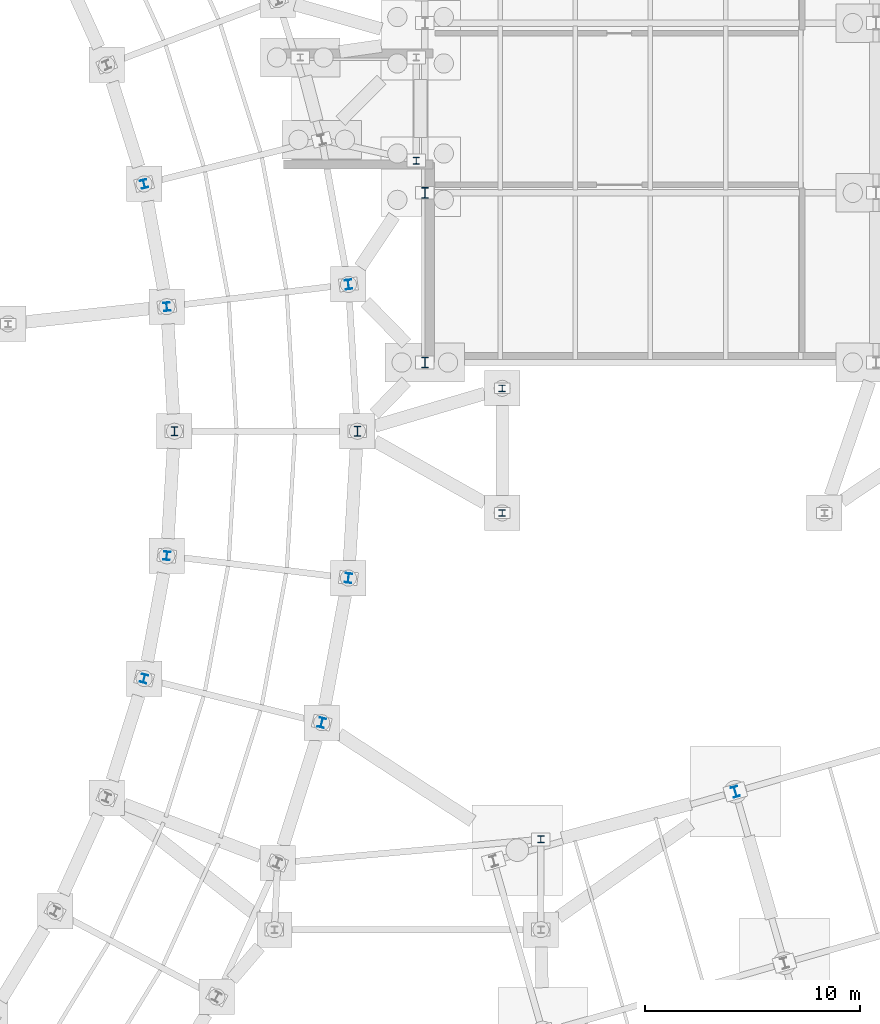
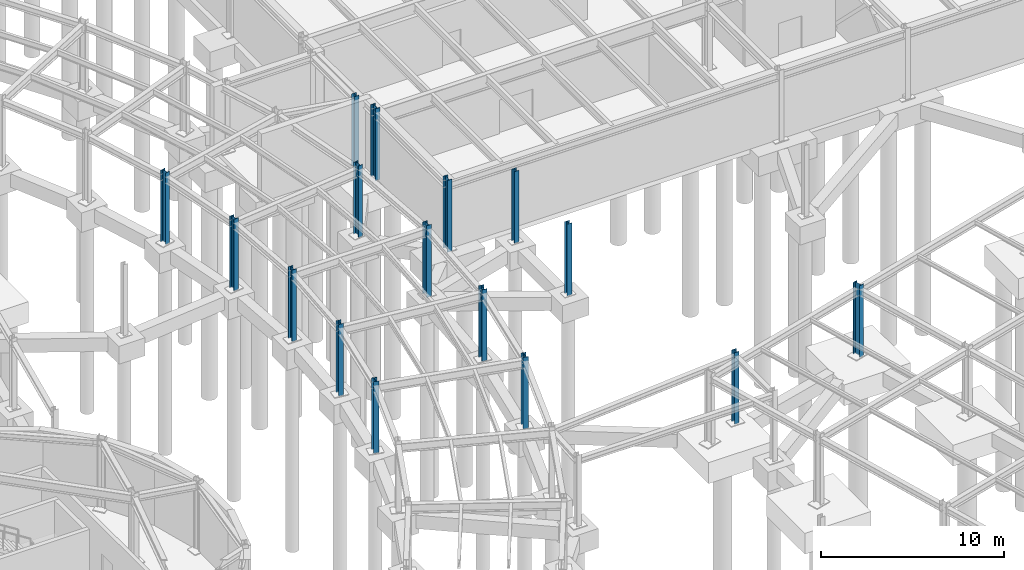
# One storey, part 17 of 50: 16 columns.
"""IFC4 building model written with IfcOpenShell, lengths in metres."""

from ifc_helpers import new_model, si_unit, direction, frame, origin, origin_2d, place, context, subcontext, project, spatial, i_section, extrude, material, material_profile, profile_set, type_object, element, save


model = new_model("IFC4")

# Units and contexts
model_context = context("Model", 3, precision=1e-05, world=origin(), true_north=direction((0.0, 1.0)))
body_context = subcontext(model_context, "Body", "Model", "MODEL_VIEW")
ifc_project = project(units=[si_unit("LENGTHUNIT", "METRE"), si_unit("AREAUNIT", "SQUARE_METRE"), si_unit("VOLUMEUNIT", "CUBIC_METRE"), si_unit("PLANEANGLEUNIT", "RADIAN"), si_unit("MASSUNIT", "GRAM", prefix="KILO")], contexts=[model_context])

# Site, building, storey
site_placement = place(None, origin())
site = spatial("IfcSite", under=ifc_project, at=site_placement, CompositionType="ELEMENT")
building_placement = place(site_placement, origin())
building = spatial("IfcBuilding", under=site, at=building_placement, Name="Varnklinge Art Gallery", CompositionType="ELEMENT")
storey_placement = place(building_placement, frame((0.0, 0.0, -4.800048828125)))
storey = spatial("IfcBuildingStorey", under=building, at=storey_placement, Name="B01", CompositionType="ELEMENT", Elevation=-4.800048828125)

# Columns
ifc_material_1 = material(Name="Steel S355", Category="steel")
ifc_material_profile_1 = material_profile(ifc_material_1, i_section(OverallWidth=0.300048828125, OverallDepth=0.5, WebThickness=0.014404296875, FlangeThickness=0.028076171875, FilletRadius=0.027099609375, at=origin_2d()), Name="HEB 500")
ifc_profile_set_1 = profile_set([ifc_material_profile_1], Name="Steel S355")
column_type_1 = type_object("IfcColumnType", Name="COL-05", PredefinedType="COLUMN", material=ifc_profile_set_1)
column_placement = place(storey_placement, frame((128.8525390625, 38.21826171875, 0.0), z_axis=(0.0, 0.0, 1.0), x_axis=(0.961261695938, 0.275637355817, 0.0)))
element("IfcColumn", 1, at=column_placement, inside=storey, type_object=column_type_1, Name="B01 Column V6C-2-4", PredefinedType="COLUMN", context=body_context, shape_type="SweptSolid", body=[
    extrude(i_section(OverallWidth=0.300048828125, OverallDepth=0.5, WebThickness=0.014404296875, FlangeThickness=0.028076171875, FilletRadius=0.027099609375, at=origin_2d()), origin(), (0.0, 0.0, 1.0), 4.800048828125),
])
ifc_material_2 = material(Name="Steel S355", Category="steel")
ifc_material_profile_2 = material_profile(ifc_material_2, i_section(OverallWidth=0.300048828125, OverallDepth=0.449951171875, WebThickness=0.013916015625, FlangeThickness=0.02587890625, FilletRadius=0.027099609375, at=origin_2d()), Name="HEB 450")
ifc_profile_set_2 = profile_set([ifc_material_profile_2], Name="Steel S355")
column_type_2 = type_object("IfcColumnType", Name="COL-06", PredefinedType="COLUMN", material=ifc_profile_set_2)
for number, where, z_axis, x_axis, name in (
    (2, (109.598388671875, 41.43408203125, 0.0), (0.0, 0.0, 1.0), (-0.970506473469, 0.241075060833, 0.0), "B01 Column V2CO-05"),
    (3, (110.842041015625, 48.16650390625, 0.0), (0.0, 0.0, 1.0), (-0.992588631597, 0.121522872021, 0.0), "B01 Column V2CO-06"),
    (4, (111.258544921875, 55.0, 0.0), (0.0, 0.0, 1.0), (-1.0, 0.0, 0.0), "B01 Column V2CO-07"),
    (5, (110.842041015625, 61.83349609375, 0.0), (0.0, 0.0, 1.0), (-0.992588631597, -0.121522872021, 0.0), "B01 Column V2CO-08"),
):
    element("IfcColumn", number, at=place(storey_placement, frame(where, z_axis=z_axis, x_axis=x_axis)), inside=storey, type_object=column_type_2, Name=name, PredefinedType="COLUMN", context=body_context, shape_type="SweptSolid", body=[
        extrude(i_section(OverallWidth=0.300048828125, OverallDepth=0.449951171875, WebThickness=0.013916015625, FlangeThickness=0.02587890625, FilletRadius=0.027099609375, at=origin_2d()), origin(), (0.0, 0.0, 1.0), 4.800048828125),
    ])
ifc_material_3 = material(Name="Steel S355", Category="steel")
ifc_material_profile_3 = material_profile(ifc_material_3, i_section(OverallWidth=0.300048828125, OverallDepth=0.39990234375, WebThickness=0.013427734375, FlangeThickness=0.02392578125, FilletRadius=0.027099609375, at=origin_2d()), Name="HEB 400")
ifc_profile_set_3 = profile_set([ifc_material_profile_3], Name="Steel S355")
column_type_3 = type_object("IfcColumnType", Name="COL-07", PredefinedType="COLUMN", material=ifc_profile_set_3)
for number, where, z_axis, x_axis, name in (
    (6, (101.332763671875, 43.488037109375, 0.0), (0.0, 0.0, 1.0), (-0.970506473469, 0.241075060833, 0.0), "B01 Column V2CI-05"),
    (7, (102.387939453125, 49.201171875, 0.0), (0.0, 0.0, 1.0), (-0.992588631597, 0.121522872021, 0.0), "B01 Column V2CI-06"),
    (8, (102.741455078125, 55.0, 0.0), (0.0, 0.0, 1.0), (-1.0, 0.0, 0.0), "B01 Column V2CI-07"),
    (9, (102.387939453125, 60.798828125, 0.0), (0.0, 0.0, 1.0), (-0.992588631597, -0.121522872021, 0.0), "B01 Column V2CI-08"),
    (10, (101.332763671875, 66.511962890625, 0.0), (0.0, 0.0, 1.0), (-0.970506473469, -0.241075060833, 0.0), "B01 Column V2CI-09"),
):
    element("IfcColumn", number, at=place(storey_placement, frame(where, z_axis=z_axis, x_axis=x_axis)), inside=storey, type_object=column_type_3, Name=name, PredefinedType="COLUMN", context=body_context, shape_type="SweptSolid", body=[
        extrude(i_section(OverallWidth=0.300048828125, OverallDepth=0.39990234375, WebThickness=0.013427734375, FlangeThickness=0.02392578125, FilletRadius=0.027099609375, at=origin_2d()), origin(), (0.0, 0.0, 1.0), 4.800048828125),
    ])
ifc_material_4 = material(Name="Steel S355", Category="steel")
ifc_material_profile_4 = material_profile(ifc_material_4, i_section(OverallWidth=0.300048828125, OverallDepth=0.320068359375, WebThickness=0.011474609375, FlangeThickness=0.0205078125, FilletRadius=0.027099609375, at=origin_2d()), Name="HEB 320")
ifc_profile_set_4 = profile_set([ifc_material_profile_4], Name="Steel S355")
column_type_4 = type_object("IfcColumnType", Name="COL-09", PredefinedType="COLUMN", material=ifc_profile_set_4)
for number, where, z_axis, x_axis, name in (
    (11, (114.0, 67.60009765625, 0.0), (0.0, 0.0, 1.0), (1.0, 0.0, 0.0), "B01 Column LNK-V1-C2"),
    (12, (119.800048828125, 36.0, 0.0), (0.0, 0.0, 1.0), (1.0, 0.0, 0.0), "B01 Column LNK-V6-C3"),
):
    element("IfcColumn", number, at=place(storey_placement, frame(where, z_axis=z_axis, x_axis=x_axis)), inside=storey, type_object=column_type_4, Name=name, PredefinedType="COLUMN", context=body_context, shape_type="SweptSolid", body=[
        extrude(i_section(OverallWidth=0.300048828125, OverallDepth=0.320068359375, WebThickness=0.011474609375, FlangeThickness=0.0205078125, FilletRadius=0.027099609375, at=origin_2d()), origin(), (0.0, 0.0, 1.0), 4.800048828125),
    ])
ifc_material_5 = material(Name="Steel S355", Category="steel")
ifc_material_profile_5 = material_profile(ifc_material_5, i_section(OverallWidth=0.300048828125, OverallDepth=0.300048828125, WebThickness=0.010986328125, FlangeThickness=0.01904296875, FilletRadius=0.027099609375, at=origin_2d()), Name="HEB 300")
ifc_profile_set_5 = profile_set([ifc_material_profile_5], Name="Steel S355")
column_type_5 = type_object("IfcColumnType", Name="COL-10", PredefinedType="COLUMN", material=ifc_profile_set_5)
for number, where, z_axis, x_axis, name in (
    (13, (118.0, 51.199951171875, 0.0), (0.0, 0.0, 1.0), (1.0, 0.0, 0.0), "B01 Column APRE-C1"),
    (14, (118.0, 57.0, 0.0), (0.0, 0.0, 1.0), (1.0, 0.0, 0.0), "B01 Column APRE-C6"),
):
    element("IfcColumn", number, at=place(storey_placement, frame(where, z_axis=z_axis, x_axis=x_axis)), inside=storey, type_object=column_type_5, Name=name, PredefinedType="COLUMN", context=body_context, shape_type="SweptSolid", body=[
        extrude(i_section(OverallWidth=0.300048828125, OverallDepth=0.300048828125, WebThickness=0.010986328125, FlangeThickness=0.01904296875, FilletRadius=0.027099609375, at=origin_2d()), origin(), (0.0, 0.0, 1.0), 4.800048828125),
    ])
ifc_material_6 = material(Name="Steel S355", Category="steel")
ifc_material_profile_6 = material_profile(ifc_material_6, i_section(OverallWidth=0.300048828125, OverallDepth=0.5, WebThickness=0.014404296875, FlangeThickness=0.028076171875, FilletRadius=0.027099609375, at=origin_2d()), Name="HEB 500")
ifc_profile_set_6 = profile_set([ifc_material_profile_6], Name="Steel S355")
column_type_6 = type_object("IfcColumnType", Name="COL-E1", PredefinedType="COLUMN", material=ifc_profile_set_6)
for number, where, z_axis, x_axis, name in (
    (15, (114.39990234375, 58.199951171875, 0.0), (0.0, 0.0, 1.0), (1.0, 0.0, 0.0), "B01 Column V1C-1-1"),
    (16, (114.39990234375, 66.10009765625, 0.0), (0.0, 0.0, 1.0), (1.0, 0.0, 0.0), "B01 Column V1C-1-2"),
):
    element("IfcColumn", number, at=place(storey_placement, frame(where, z_axis=z_axis, x_axis=x_axis)), inside=storey, type_object=column_type_6, Name=name, PredefinedType="COLUMN", context=body_context, shape_type="SweptSolid", body=[
        extrude(i_section(OverallWidth=0.300048828125, OverallDepth=0.5, WebThickness=0.014404296875, FlangeThickness=0.028076171875, FilletRadius=0.027099609375, at=origin_2d()), origin(), (0.0, 0.0, 1.0), 4.800048828125),
    ])

save(model, "model.ifc")
